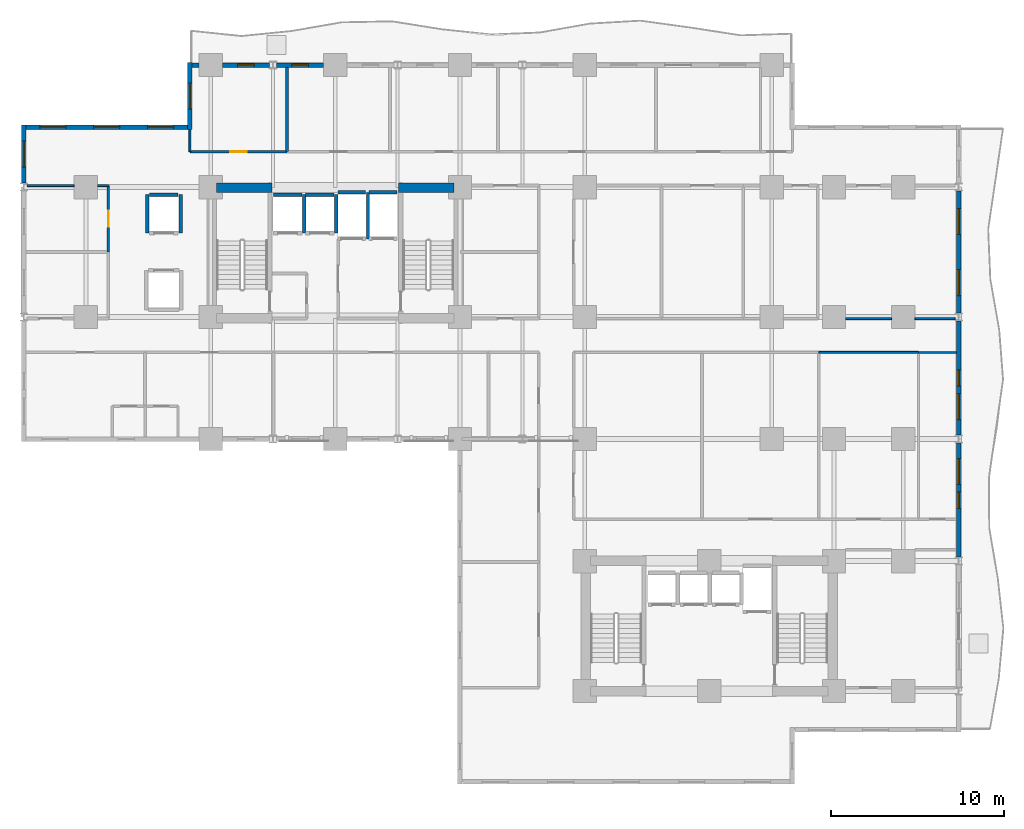
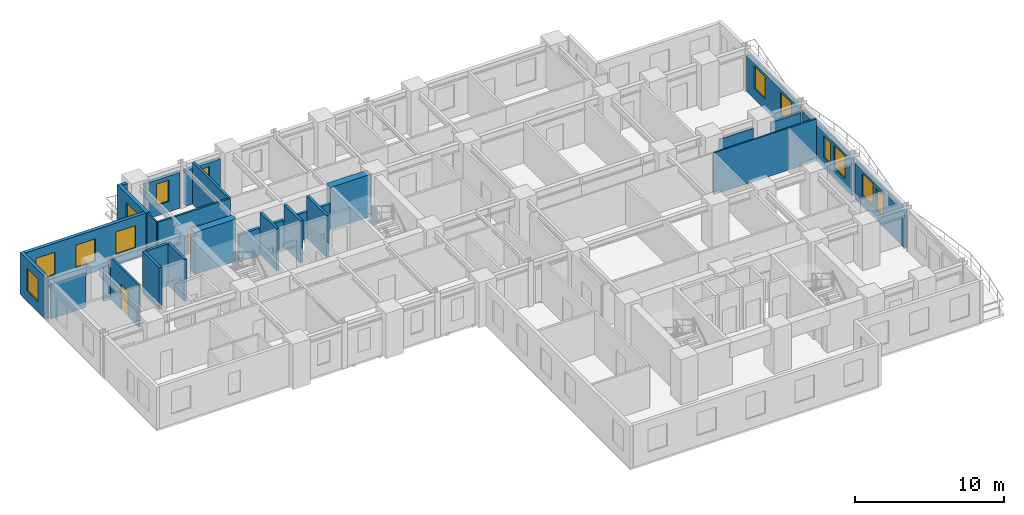
# One storey, part 6 of 11: 31 walls, 13 windows, 2 doors, 15 openings.
"""IFC4 building model written with IfcOpenShell, lengths in metres."""

from ifc_helpers import new_model, si_unit, direction, frame, frame_2d, origin, place, context, subcontext, project, spatial, rectangle, extrude, material, layer, layer_set, type_object, element, fill, save


model = new_model("IFC4")

# Units and contexts
model_context = context("Model", 3, precision=1e-05, world=origin(), true_north=direction((0.0, 1.0)))
body_context = subcontext(model_context, "Body", "Model", "MODEL_VIEW")
ifc_project = project(units=[si_unit("LENGTHUNIT", "METRE"), si_unit("AREAUNIT", "SQUARE_METRE"), si_unit("VOLUMEUNIT", "CUBIC_METRE"), si_unit("PLANEANGLEUNIT", "RADIAN"), si_unit("MASSUNIT", "GRAM", prefix="KILO")], contexts=[model_context])

# Site, building, storey
site_placement = place(None, origin())
site = spatial("IfcSite", under=ifc_project, at=site_placement, CompositionType="ELEMENT")
building_placement = place(site_placement, origin())
building = spatial("IfcBuilding", under=site, at=building_placement, Name="Kaliganga Portal Commons", CompositionType="ELEMENT")
storey_placement = place(building_placement, frame((0.0, 0.0, 58.60009765625)))
storey = spatial("IfcBuildingStorey", under=building, at=storey_placement, Name="L14", CompositionType="ELEMENT", Elevation=58.60009765625)

# Walls
ifc_material_1 = material(Name="Concrete C60/75", Category="concrete")
ifc_layer_1 = layer(ifc_material_1, 0.550048828125)
ifc_layer_set_1 = layer_set([ifc_layer_1], Name="Concrete C60/75")
wall_type_1 = type_object("IfcWallType", Name="WL-CORE-550", PredefinedType="SHEAR", material=ifc_layer_set_1)
for number, where, z_axis, x_axis, name in (
    (1, (14.75, 36.125, 0.0), (0.0, 0.0, 1.0), (1.0, 0.0, 0.0), "Core A N-West Shear Wall L14"),
    (2, (25.25, 36.125, 0.0), (0.0, 0.0, 1.0), (1.0, 0.0, 0.0), "Core A N-East Shear Wall L14"),
):
    element("IfcWall", number, at=place(storey_placement, frame(where, z_axis=z_axis, x_axis=x_axis)), inside=storey, type_object=wall_type_1, Name=name, PredefinedType="SHEAR", context=body_context, shape_type="SweptSolid", body=[
        extrude(rectangle(XDim=3.199951171875, YDim=0.550048828125, at=frame_2d((1.60009765625, 0.0))), origin(), (0.0, 0.0, 1.0), 3.449951171875),
    ])

# Wall, openings, windows
ifc_material_2 = material(Name="Insulated Aluminium-Clad Spandrel Assembly", Category="aluminium")
ifc_layer_2 = layer(ifc_material_2, 0.260009765625)
ifc_layer_set_2 = layer_set([ifc_layer_2], Name="Insulated Aluminium-Clad Spandrel Assembly")
wall_type_2 = type_object("IfcWallType", Name="WL-EXT-SPAND-260", PredefinedType="STANDARD", material=ifc_layer_set_2)
wall_1_placement = place(storey_placement, frame((57.60009765625, 21.3759765625, 0.0), z_axis=(0.0, 0.0, 1.0), x_axis=(0.0, -1.0, 0.0)))
wall_1 = element("IfcWall", 3, at=wall_1_placement, inside=storey, type_object=wall_type_2, Name="Exterior Envelope Wall L14 P1-E03-S3", PredefinedType="STANDARD", context=body_context, shape_type="SweptSolid", body=[
    extrude(rectangle(XDim=6.60205078125, YDim=0.260009765625, at=frame_2d((3.301025390625, 0.0))), origin(), (0.0, 0.0, 1.0), 2.929931640625),
])
opening_1_placement = place(wall_1_placement, frame((0.900390625, 0.0, 0.85009765625)))
opening_1 = element("IfcOpeningElement", 4, at=opening_1_placement, cuts=wall_1, Name="Opening W-02", PredefinedType="OPENING", context=body_context, shape_type="SweptSolid", body=[
    extrude(rectangle(XDim=1.5, YDim=1.85009765625, at=frame_2d((0.75, 0.925048828125))), frame((0.0, 0.14013671875, 0.0), z_axis=(0.0, -1.0, 0.0), x_axis=(1.0, 0.0, 0.0)), (0.0, 0.0, 1.0), 0.280029296875),
])
opening_2_placement = place(wall_1_placement, frame((2.825927734375, 0.0, 0.85009765625)))
opening_2 = element("IfcOpeningElement", 5, at=opening_2_placement, cuts=wall_1, Name="Opening W-04", PredefinedType="OPENING", context=body_context, shape_type="SweptSolid", body=[
    extrude(rectangle(XDim=0.949951171875, YDim=1.75, at=frame_2d((0.47509765625, 0.875))), frame((0.0, 0.14013671875, 0.0), z_axis=(0.0, -1.0, 0.0), x_axis=(1.0, 0.0, 0.0)), (0.0, 0.0, 1.0), 0.280029296875),
])
ifc_material_3 = material(Name="Thermally Broken Aluminium and Low-E Double Glazing", Category="aluminium")
window_type_1 = type_object("IfcWindowType", Name="WIN-NARROW-950", PartitioningType="SINGLE_PANEL", PredefinedType="WINDOW", material=ifc_material_3)
window_1_placement = place(opening_2_placement, origin())
window_1 = element("IfcWindow", 6, at=window_1_placement, inside=storey, type_object=window_type_1, Name="Facade Window L14-P1E03S3-N0", OverallHeight=1.75, OverallWidth=0.949951171875, PartitioningType="SINGLE_PANEL", PredefinedType="WINDOW", context=body_context, shape_type="SweptSolid", body=[
    extrude(rectangle(XDim=0.949951171875, YDim=1.75, at=frame_2d((0.47509765625, 0.875))), frame((0.0, 0.030029296875, 0.0), z_axis=(0.0, -1.0, 0.0), x_axis=(1.0, 0.0, 0.0)), (0.0, 0.0, 1.0), 0.06005859375),
])
fill(opening_2, window_1)
window_type_2 = type_object("IfcWindowType", Name="WIN-STD-1500", PartitioningType="DOUBLE_PANEL_VERTICAL", PredefinedType="WINDOW", material=ifc_material_3)
window_2_placement = place(opening_1_placement, origin())
window_2 = element("IfcWindow", 7, at=window_2_placement, inside=storey, type_object=window_type_2, Name="Facade Window L14-P1E03S3-00", OverallHeight=1.85009765625, OverallWidth=1.5, PartitioningType="SINGLE_PANEL", PredefinedType="WINDOW", context=body_context, shape_type="SweptSolid", body=[
    extrude(rectangle(XDim=1.5, YDim=1.85009765625, at=frame_2d((0.75, 0.925048828125))), frame((0.0, 0.030029296875, 0.0), z_axis=(0.0, -1.0, 0.0), x_axis=(1.0, 0.0, 0.0)), (0.0, 0.0, 1.0), 0.06005859375),
])
fill(opening_1, window_2)

wall_2_placement = place(storey_placement, frame((57.60009765625, 28.426025390625, 0.0), z_axis=(0.0, 0.0, 1.0), x_axis=(0.0, -1.0, 0.0)))
wall_2 = element("IfcWall", 8, at=wall_2_placement, inside=storey, type_object=wall_type_2, Name="Exterior Envelope Wall L14 P1-E03-S4", PredefinedType="STANDARD", context=body_context, shape_type="SweptSolid", body=[
    extrude(rectangle(XDim=6.60205078125, YDim=0.260009765625, at=frame_2d((3.301025390625, 0.0))), origin(), (0.0, 0.0, 1.0), 2.929931640625),
])
opening_3_placement = place(wall_2_placement, frame((4.201416015625, 0.0, 0.85009765625)))
opening_3 = element("IfcOpeningElement", 9, at=opening_3_placement, cuts=wall_2, Name="Opening W-02", PredefinedType="OPENING", context=body_context, shape_type="SweptSolid", body=[
    extrude(rectangle(XDim=1.5, YDim=1.85009765625, at=frame_2d((0.75, 0.925048828125))), frame((0.0, 0.14013671875, 0.0), z_axis=(0.0, -1.0, 0.0), x_axis=(1.0, 0.0, 0.0)), (0.0, 0.0, 1.0), 0.280029296875),
])
opening_4_placement = place(wall_2_placement, frame((2.825927734375, 0.0, 0.85009765625)))
opening_4 = element("IfcOpeningElement", 10, at=opening_4_placement, cuts=wall_2, Name="Opening W-04", PredefinedType="OPENING", context=body_context, shape_type="SweptSolid", body=[
    extrude(rectangle(XDim=0.949951171875, YDim=1.75, at=frame_2d((0.47509765625, 0.875))), frame((0.0, 0.14013671875, 0.0), z_axis=(0.0, -1.0, 0.0), x_axis=(1.0, 0.0, 0.0)), (0.0, 0.0, 1.0), 0.280029296875),
])
window_3_placement = place(opening_4_placement, origin())
window_3 = element("IfcWindow", 11, at=window_3_placement, inside=storey, type_object=window_type_1, Name="Facade Window L14-P1E03S4-N0", OverallHeight=1.75, OverallWidth=0.949951171875, PartitioningType="SINGLE_PANEL", PredefinedType="WINDOW", context=body_context, shape_type="SweptSolid", body=[
    extrude(rectangle(XDim=0.949951171875, YDim=1.75, at=frame_2d((0.47509765625, 0.875))), frame((0.0, 0.030029296875, 0.0), z_axis=(0.0, -1.0, 0.0), x_axis=(1.0, 0.0, 0.0)), (0.0, 0.0, 1.0), 0.06005859375),
])
fill(opening_4, window_3)
window_4_placement = place(opening_3_placement, origin())
window_4 = element("IfcWindow", 12, at=window_4_placement, inside=storey, type_object=window_type_2, Name="Facade Window L14-P1E03S4-01", OverallHeight=1.85009765625, OverallWidth=1.5, PartitioningType="SINGLE_PANEL", PredefinedType="WINDOW", context=body_context, shape_type="SweptSolid", body=[
    extrude(rectangle(XDim=1.5, YDim=1.85009765625, at=frame_2d((0.75, 0.925048828125))), frame((0.0, 0.030029296875, 0.0), z_axis=(0.0, -1.0, 0.0), x_axis=(1.0, 0.0, 0.0)), (0.0, 0.0, 1.0), 0.06005859375),
])
fill(opening_3, window_4)

wall_3_placement = place(storey_placement, frame((57.60009765625, 35.926025390625, 0.0), z_axis=(0.0, 0.0, 1.0), x_axis=(0.0, -1.0, 0.0)))
wall_3 = element("IfcWall", 13, at=wall_3_placement, inside=storey, type_object=wall_type_2, Name="Exterior Envelope Wall L14 P1-E03-S5", PredefinedType="STANDARD", context=body_context, shape_type="SweptSolid", body=[
    extrude(rectangle(XDim=7.052001953125, YDim=0.260009765625, at=frame_2d((3.52587890625, 0.0))), origin(), (0.0, 0.0, 1.0), 2.929931640625),
])
opening_5_placement = place(wall_3_placement, frame((1.012939453125, 0.0, 0.85009765625)))
opening_5 = element("IfcOpeningElement", 14, at=opening_5_placement, cuts=wall_3, Name="Opening W-02", PredefinedType="OPENING", context=body_context, shape_type="SweptSolid", body=[
    extrude(rectangle(XDim=1.5, YDim=1.85009765625, at=frame_2d((0.75, 0.925048828125))), frame((0.0, 0.14013671875, 0.0), z_axis=(0.0, -1.0, 0.0), x_axis=(1.0, 0.0, 0.0)), (0.0, 0.0, 1.0), 0.280029296875),
])
opening_6_placement = place(wall_3_placement, frame((4.5390625, 0.0, 0.85009765625)))
opening_6 = element("IfcOpeningElement", 15, at=opening_6_placement, cuts=wall_3, Name="Opening W-02", PredefinedType="OPENING", context=body_context, shape_type="SweptSolid", body=[
    extrude(rectangle(XDim=1.5, YDim=1.85009765625, at=frame_2d((0.75, 0.925048828125))), frame((0.0, 0.14013671875, 0.0), z_axis=(0.0, -1.0, 0.0), x_axis=(1.0, 0.0, 0.0)), (0.0, 0.0, 1.0), 0.280029296875),
])
window_5_placement = place(opening_5_placement, origin())
window_5 = element("IfcWindow", 16, at=window_5_placement, inside=storey, type_object=window_type_2, Name="Facade Window L14-P1E03S5-00", OverallHeight=1.85009765625, OverallWidth=1.5, PartitioningType="SINGLE_PANEL", PredefinedType="WINDOW", context=body_context, shape_type="SweptSolid", body=[
    extrude(rectangle(XDim=1.5, YDim=1.85009765625, at=frame_2d((0.75, 0.925048828125))), frame((0.0, 0.030029296875, 0.0), z_axis=(0.0, -1.0, 0.0), x_axis=(1.0, 0.0, 0.0)), (0.0, 0.0, 1.0), 0.06005859375),
])
fill(opening_5, window_5)
window_6_placement = place(opening_6_placement, origin())
window_6 = element("IfcWindow", 17, at=window_6_placement, inside=storey, type_object=window_type_2, Name="Facade Window L14-P1E03S5-01", OverallHeight=1.85009765625, OverallWidth=1.5, PartitioningType="SINGLE_PANEL", PredefinedType="WINDOW", context=body_context, shape_type="SweptSolid", body=[
    extrude(rectangle(XDim=1.5, YDim=1.85009765625, at=frame_2d((0.75, 0.925048828125))), frame((0.0, 0.030029296875, 0.0), z_axis=(0.0, -1.0, 0.0), x_axis=(1.0, 0.0, 0.0)), (0.0, 0.0, 1.0), 0.06005859375),
])
fill(opening_6, window_6)

# Wall, opening, window
wall_4_placement = place(storey_placement, frame((18.208984375, 43.199951171875, 0.0), z_axis=(0.0, 0.0, 1.0), x_axis=(1.0, 0.0, 0.0)))
wall_4 = element("IfcWall", 18, at=wall_4_placement, inside=storey, type_object=wall_type_2, Name="Exterior Envelope Wall L14 P1-E06-S7", PredefinedType="STANDARD", context=body_context, shape_type="SweptSolid", body=[
    extrude(rectangle(XDim=2.715087890625, YDim=0.260009765625, at=frame_2d((1.357421875, 0.0))), origin(), (0.0, 0.0, 1.0), 2.929931640625),
])
opening_7_placement = place(wall_4_placement, frame((0.882568359375, 0.0, 0.85009765625)))
opening_7 = element("IfcOpeningElement", 19, at=opening_7_placement, cuts=wall_4, Name="Opening W-04", PredefinedType="OPENING", context=body_context, shape_type="SweptSolid", body=[
    extrude(rectangle(XDim=0.949951171875, YDim=1.75, at=frame_2d((0.47509765625, 0.875))), frame((0.0, 0.14013671875, 0.0), z_axis=(0.0, -1.0, 0.0), x_axis=(1.0, 0.0, 0.0)), (0.0, 0.0, 1.0), 0.280029296875),
])
window_7_placement = place(opening_7_placement, origin())
window_7 = element("IfcWindow", 20, at=window_7_placement, inside=storey, type_object=window_type_1, Name="Facade Window L14-P1E06S7-00", OverallHeight=1.75, OverallWidth=0.949951171875, PartitioningType="SINGLE_PANEL", PredefinedType="WINDOW", context=body_context, shape_type="SweptSolid", body=[
    extrude(rectangle(XDim=0.949951171875, YDim=1.75, at=frame_2d((0.47509765625, 0.875))), frame((0.0, 0.030029296875, 0.0), z_axis=(0.0, -1.0, 0.0), x_axis=(1.0, 0.0, 0.0)), (0.0, 0.0, 1.0), 0.06005859375),
])
fill(opening_7, window_7)

wall_5_placement = place(storey_placement, frame((15.075927734375, 43.199951171875, 0.0), z_axis=(0.0, 0.0, 1.0), x_axis=(1.0, 0.0, 0.0)))
wall_5 = element("IfcWall", 21, at=wall_5_placement, inside=storey, type_object=wall_type_2, Name="Exterior Envelope Wall L14 P1-E06-S8", PredefinedType="STANDARD", context=body_context, shape_type="SweptSolid", body=[
    extrude(rectangle(XDim=2.715087890625, YDim=0.260009765625, at=frame_2d((1.357421875, 0.0))), origin(), (0.0, 0.0, 1.0), 2.929931640625),
])
opening_8_placement = place(wall_5_placement, frame((0.882568359375, 0.0, 0.85009765625)))
opening_8 = element("IfcOpeningElement", 22, at=opening_8_placement, cuts=wall_5, Name="Opening W-04", PredefinedType="OPENING", context=body_context, shape_type="SweptSolid", body=[
    extrude(rectangle(XDim=0.949951171875, YDim=1.75, at=frame_2d((0.47509765625, 0.875))), frame((0.0, 0.14013671875, 0.0), z_axis=(0.0, -1.0, 0.0), x_axis=(1.0, 0.0, 0.0)), (0.0, 0.0, 1.0), 0.280029296875),
])
window_8_placement = place(opening_8_placement, origin())
window_8 = element("IfcWindow", 23, at=window_8_placement, inside=storey, type_object=window_type_1, Name="Facade Window L14-P1E06S8-00", OverallHeight=1.75, OverallWidth=0.949951171875, PartitioningType="SINGLE_PANEL", PredefinedType="WINDOW", context=body_context, shape_type="SweptSolid", body=[
    extrude(rectangle(XDim=0.949951171875, YDim=1.75, at=frame_2d((0.47509765625, 0.875))), frame((0.0, 0.030029296875, 0.0), z_axis=(0.0, -1.0, 0.0), x_axis=(1.0, 0.0, 0.0)), (0.0, 0.0, 1.0), 0.06005859375),
])
fill(opening_8, window_8)

# Wall
wall_6_placement = place(storey_placement, frame((13.3349609375, 43.199951171875, 0.0), z_axis=(0.0, 0.0, 1.0), x_axis=(1.0, 0.0, 0.0)))
element("IfcWall", 24, at=wall_6_placement, inside=storey, type_object=wall_type_2, Name="Exterior Envelope Wall L14 P1-E06-S9", PredefinedType="STANDARD", context=body_context, shape_type="SweptSolid", body=[
    extrude(rectangle(XDim=0.38916015625, YDim=0.260009765625, at=frame_2d((0.194580078125, 0.0))), origin(), (0.0, 0.0, 1.0), 3.429931640625),
])

# Wall, opening, window
wall_7_placement = place(storey_placement, frame((13.199951171875, 39.469970703125, 0.0), z_axis=(0.0, 0.0, 1.0), x_axis=(0.0, 1.0, 0.0)))
wall_7 = element("IfcWall", 25, at=wall_7_placement, inside=storey, type_object=wall_type_2, Name="Exterior Envelope Wall L14 P1-E07-S1", PredefinedType="STANDARD", context=body_context, shape_type="SweptSolid", body=[
    extrude(rectangle(XDim=3.860107421875, YDim=0.260009765625, at=frame_2d((1.93017578125, 0.0))), origin(), (0.0, 0.0, 1.0), 3.429931640625),
])
opening_9_placement = place(wall_7_placement, frame((1.179931640625, 0.0, 0.85009765625)))
opening_9 = element("IfcOpeningElement", 26, at=opening_9_placement, cuts=wall_7, Name="Opening W-02", PredefinedType="OPENING", context=body_context, shape_type="SweptSolid", body=[
    extrude(rectangle(XDim=1.5, YDim=1.85009765625, at=frame_2d((0.75, 0.925048828125))), frame((0.0, 0.14013671875, 0.0), z_axis=(0.0, -1.0, 0.0), x_axis=(1.0, 0.0, 0.0)), (0.0, 0.0, 1.0), 0.280029296875),
])
window_9_placement = place(opening_9_placement, origin())
window_9 = element("IfcWindow", 27, at=window_9_placement, inside=storey, type_object=window_type_2, Name="Facade Window L14-P1E07S1-00", OverallHeight=1.85009765625, OverallWidth=1.5, PartitioningType="SINGLE_PANEL", PredefinedType="WINDOW", context=body_context, shape_type="SweptSolid", body=[
    extrude(rectangle(XDim=1.5, YDim=1.85009765625, at=frame_2d((0.75, 0.925048828125))), frame((0.0, 0.030029296875, 0.0), z_axis=(0.0, -1.0, 0.0), x_axis=(1.0, 0.0, 0.0)), (0.0, 0.0, 1.0), 0.06005859375),
])
fill(opening_9, window_9)

# Wall, openings, windows
wall_8_placement = place(storey_placement, frame((3.735107421875, 39.60009765625, 0.0), z_axis=(0.0, 0.0, 1.0), x_axis=(1.0, 0.0, 0.0)))
wall_8 = element("IfcWall", 28, at=wall_8_placement, inside=storey, type_object=wall_type_2, Name="Exterior Envelope Wall L14 P1-E08-S1", PredefinedType="STANDARD", context=body_context, shape_type="SweptSolid", body=[
    extrude(rectangle(XDim=9.329833984375, YDim=0.260009765625, at=frame_2d((4.6650390625, 0.0))), origin(), (0.0, 0.0, 1.0), 3.429931640625),
])
opening_10_placement = place(wall_8_placement, frame((0.804931640625, 0.0, 0.85009765625)))
opening_10 = element("IfcOpeningElement", 29, at=opening_10_placement, cuts=wall_8, Name="Opening W-02", PredefinedType="OPENING", context=body_context, shape_type="SweptSolid", body=[
    extrude(rectangle(XDim=1.5, YDim=1.85009765625, at=frame_2d((0.75, 0.925048828125))), frame((0.0, 0.14013671875, 0.0), z_axis=(0.0, -1.0, 0.0), x_axis=(1.0, 0.0, 0.0)), (0.0, 0.0, 1.0), 0.280029296875),
])
opening_11_placement = place(wall_8_placement, frame((3.9150390625, 0.0, 0.85009765625)))
opening_11 = element("IfcOpeningElement", 30, at=opening_11_placement, cuts=wall_8, Name="Opening W-02", PredefinedType="OPENING", context=body_context, shape_type="SweptSolid", body=[
    extrude(rectangle(XDim=1.5, YDim=1.85009765625, at=frame_2d((0.75, 0.925048828125))), frame((0.0, 0.14013671875, 0.0), z_axis=(0.0, -1.0, 0.0), x_axis=(1.0, 0.0, 0.0)), (0.0, 0.0, 1.0), 0.280029296875),
])
opening_12_placement = place(wall_8_placement, frame((7.02490234375, 0.0, 0.85009765625)))
opening_12 = element("IfcOpeningElement", 31, at=opening_12_placement, cuts=wall_8, Name="Opening W-02", PredefinedType="OPENING", context=body_context, shape_type="SweptSolid", body=[
    extrude(rectangle(XDim=1.5, YDim=1.85009765625, at=frame_2d((0.75, 0.925048828125))), frame((0.0, 0.14013671875, 0.0), z_axis=(0.0, -1.0, 0.0), x_axis=(1.0, 0.0, 0.0)), (0.0, 0.0, 1.0), 0.280029296875),
])
window_10_placement = place(opening_10_placement, origin())
window_10 = element("IfcWindow", 32, at=window_10_placement, inside=storey, type_object=window_type_2, Name="Facade Window L14-P1E08S1-00", OverallHeight=1.85009765625, OverallWidth=1.5, PartitioningType="SINGLE_PANEL", PredefinedType="WINDOW", context=body_context, shape_type="SweptSolid", body=[
    extrude(rectangle(XDim=1.5, YDim=1.85009765625, at=frame_2d((0.75, 0.925048828125))), frame((0.0, 0.030029296875, 0.0), z_axis=(0.0, -1.0, 0.0), x_axis=(1.0, 0.0, 0.0)), (0.0, 0.0, 1.0), 0.06005859375),
])
fill(opening_10, window_10)
window_11_placement = place(opening_11_placement, origin())
window_11 = element("IfcWindow", 33, at=window_11_placement, inside=storey, type_object=window_type_2, Name="Facade Window L14-P1E08S1-01", OverallHeight=1.85009765625, OverallWidth=1.5, PartitioningType="SINGLE_PANEL", PredefinedType="WINDOW", context=body_context, shape_type="SweptSolid", body=[
    extrude(rectangle(XDim=1.5, YDim=1.85009765625, at=frame_2d((0.75, 0.925048828125))), frame((0.0, 0.030029296875, 0.0), z_axis=(0.0, -1.0, 0.0), x_axis=(1.0, 0.0, 0.0)), (0.0, 0.0, 1.0), 0.06005859375),
])
fill(opening_11, window_11)
window_12_placement = place(opening_12_placement, origin())
window_12 = element("IfcWindow", 34, at=window_12_placement, inside=storey, type_object=window_type_2, Name="Facade Window L14-P1E08S1-02", OverallHeight=1.85009765625, OverallWidth=1.5, PartitioningType="SINGLE_PANEL", PredefinedType="WINDOW", context=body_context, shape_type="SweptSolid", body=[
    extrude(rectangle(XDim=1.5, YDim=1.85009765625, at=frame_2d((0.75, 0.925048828125))), frame((0.0, 0.030029296875, 0.0), z_axis=(0.0, -1.0, 0.0), x_axis=(1.0, 0.0, 0.0)), (0.0, 0.0, 1.0), 0.06005859375),
])
fill(opening_12, window_12)

# Wall, opening, window
wall_9_placement = place(storey_placement, frame((3.60009765625, 36.3740234375, 0.0), z_axis=(0.0, 0.0, 1.0), x_axis=(0.0, 1.0, 0.0)))
wall_9 = element("IfcWall", 35, at=wall_9_placement, inside=storey, type_object=wall_type_2, Name="Exterior Envelope Wall L14 P1-E09-S1", PredefinedType="STANDARD", context=body_context, shape_type="SweptSolid", body=[
    extrude(rectangle(XDim=3.35595703125, YDim=0.260009765625, at=frame_2d((1.677978515625, 0.0))), origin(), (0.0, 0.0, 1.0), 3.429931640625),
])
opening_13_placement = place(wall_9_placement, frame((0.927978515625, 0.0, 0.85009765625)))
opening_13 = element("IfcOpeningElement", 36, at=opening_13_placement, cuts=wall_9, Name="Opening W-02", PredefinedType="OPENING", context=body_context, shape_type="SweptSolid", body=[
    extrude(rectangle(XDim=1.5, YDim=1.85009765625, at=frame_2d((0.75, 0.925048828125))), frame((0.0, 0.14013671875, 0.0), z_axis=(0.0, -1.0, 0.0), x_axis=(1.0, 0.0, 0.0)), (0.0, 0.0, 1.0), 0.280029296875),
])
window_13_placement = place(opening_13_placement, origin())
window_13 = element("IfcWindow", 37, at=window_13_placement, inside=storey, type_object=window_type_2, Name="Facade Window L14-P1E09S1-00", OverallHeight=1.85009765625, OverallWidth=1.5, PartitioningType="SINGLE_PANEL", PredefinedType="WINDOW", context=body_context, shape_type="SweptSolid", body=[
    extrude(rectangle(XDim=1.5, YDim=1.85009765625, at=frame_2d((0.75, 0.925048828125))), frame((0.0, 0.030029296875, 0.0), z_axis=(0.0, -1.0, 0.0), x_axis=(1.0, 0.0, 0.0)), (0.0, 0.0, 1.0), 0.06005859375),
])
fill(opening_13, window_13)

# Wall, opening, door
ifc_material_4 = material(Name="Fire-Rated Gypsum Board on Steel Stud", Category="steel")
ifc_layer_3 = layer(ifc_material_4, 0.14990234375)
ifc_layer_set_3 = layer_set([ifc_layer_3], Name="Fire-Rated Gypsum Board on Steel Stud")
wall_type_3 = type_object("IfcWallType", Name="WL-PART-CORR-150", PredefinedType="PARTITIONING", material=ifc_layer_set_3)
wall_10_placement = place(storey_placement, frame((13.199951171875, 38.199951171875, 0.0), z_axis=(0.0, 0.0, 1.0), x_axis=(1.0, 0.0, 0.0)))
wall_10 = element("IfcWall", 38, at=wall_10_placement, inside=storey, type_object=wall_type_3, Name="Interior Partition L14-027", PredefinedType="PARTITIONING", context=body_context, shape_type="SweptSolid", body=[
    extrude(rectangle(XDim=5.6201171875, YDim=0.14990234375, at=frame_2d((2.81005859375, 0.0))), origin(), (0.0, 0.0, 1.0), 3.429931640625),
])
opening_14_placement = place(wall_10_placement, frame((2.3349609375, 0.0, 0.0)))
opening_14 = element("IfcOpeningElement", 39, at=opening_14_placement, cuts=wall_10, Name="Opening UD-01", PredefinedType="OPENING", context=body_context, shape_type="SweptSolid", body=[
    extrude(rectangle(XDim=0.949951171875, YDim=2.10009765625, at=frame_2d((0.47509765625, 1.050048828125))), frame((0.0, 0.0849609375, 0.0), z_axis=(0.0, -1.0, 0.0), x_axis=(1.0, 0.0, 0.0)), (0.0, 0.0, 1.0), 0.169921875),
])
ifc_material_5 = material(Name="Solid-Core Timber Acoustic Fire Door", Category="wood")
door_type = type_object("IfcDoorType", Name="DR-UNIT-950", OperationType="NOTDEFINED", PredefinedType="DOOR", material=ifc_material_5)
door_1_placement = place(opening_14_placement, origin())
door_1 = element("IfcDoor", 40, at=door_1_placement, inside=storey, type_object=door_type, Name="Interior Door L14-AN01", OperationType="SINGLE_SWING_LEFT", OverallHeight=2.10009765625, OverallWidth=0.949951171875, PredefinedType="DOOR", context=body_context, shape_type="SweptSolid", body=[
    extrude(rectangle(XDim=0.949951171875, YDim=2.10009765625, at=frame_2d((0.47509765625, 1.050048828125))), frame((0.0, 0.02490234375, 0.0), z_axis=(0.0, -1.0, 0.0), x_axis=(1.0, 0.0, 0.0)), (0.0, 0.0, 1.0), 0.050048828125),
])
fill(opening_14, door_1)

wall_11_placement = place(storey_placement, frame((8.5, 32.39990234375, 0.0), z_axis=(0.0, 0.0, 1.0), x_axis=(0.0, 1.0, 0.0)))
wall_11 = element("IfcWall", 41, at=wall_11_placement, inside=storey, type_object=wall_type_3, Name="Interior Partition L14-038", PredefinedType="PARTITIONING", context=body_context, shape_type="SweptSolid", body=[
    extrude(rectangle(XDim=3.840087890625, YDim=0.14990234375, at=frame_2d((1.919921875, 0.0))), origin(), (0.0, 0.0, 1.0), 3.429931640625),
])
opening_15_placement = place(wall_11_placement, frame((1.445068359375, 0.0, 0.0)))
opening_15 = element("IfcOpeningElement", 42, at=opening_15_placement, cuts=wall_11, Name="Opening UD-01", PredefinedType="OPENING", context=body_context, shape_type="SweptSolid", body=[
    extrude(rectangle(XDim=0.949951171875, YDim=2.10009765625, at=frame_2d((0.47509765625, 1.050048828125))), frame((0.0, 0.0849609375, 0.0), z_axis=(0.0, -1.0, 0.0), x_axis=(1.0, 0.0, 0.0)), (0.0, 0.0, 1.0), 0.169921875),
])
door_2_placement = place(opening_15_placement, origin())
door_2 = element("IfcDoor", 43, at=door_2_placement, inside=storey, type_object=door_type, Name="Interior Door L14-AW02", OperationType="SINGLE_SWING_LEFT", OverallHeight=2.10009765625, OverallWidth=0.949951171875, PredefinedType="DOOR", context=body_context, shape_type="SweptSolid", body=[
    extrude(rectangle(XDim=0.949951171875, YDim=2.10009765625, at=frame_2d((0.47509765625, 1.050048828125))), frame((0.0, 0.02490234375, 0.0), z_axis=(0.0, -1.0, 0.0), x_axis=(1.0, 0.0, 0.0)), (0.0, 0.0, 1.0), 0.050048828125),
])
fill(opening_15, door_2)

# Walls
ifc_material_6 = material(Name="Moisture-Resistant Gypsum Partition", Category="gypsum")
ifc_layer_4 = layer(ifc_material_6, 0.114990234375)
ifc_layer_set_4 = layer_set([ifc_layer_4], Name="Moisture-Resistant Gypsum Partition")
wall_type_4 = type_object("IfcWallType", Name="WL-PART-ROOM-115", PredefinedType="PARTITIONING", material=ifc_layer_set_4)
wall_12_placement = place(storey_placement, frame((51.074951171875, 28.56005859375, 0.0), z_axis=(0.0, 0.0, 1.0), x_axis=(1.0, 0.0, 0.0)))
element("IfcWall", 44, at=wall_12_placement, inside=storey, type_object=wall_type_4, Name="Interior Partition L14-051", PredefinedType="PARTITIONING", context=body_context, shape_type="SweptSolid", body=[
    extrude(rectangle(XDim=2.650146484375, YDim=0.114990234375, at=frame_2d((1.3251953125, 0.0))), origin(), (0.0, 0.0, 1.0), 2.77978515625),
])
wall_13_placement = place(storey_placement, frame((55.074951171875, 28.56005859375, 0.0), z_axis=(0.0, 0.0, 1.0), x_axis=(1.0, 0.0, 0.0)))
element("IfcWall", 45, at=wall_13_placement, inside=storey, type_object=wall_type_4, Name="Interior Partition L14-052", PredefinedType="PARTITIONING", context=body_context, shape_type="SweptSolid", body=[
    extrude(rectangle(XDim=2.317138671875, YDim=0.114990234375, at=frame_2d((1.15869140625, 0.0))), origin(), (0.0, 0.0, 1.0), 2.77978515625),
])
wall_14_placement = place(storey_placement, frame((49.52001953125, 26.60009765625, 0.0), z_axis=(0.0, 0.0, 1.0), x_axis=(1.0, 0.0, 0.0)))
element("IfcWall", 46, at=wall_14_placement, inside=storey, type_object=wall_type_4, Name="Interior Partition L14-058", PredefinedType="PARTITIONING", context=body_context, shape_type="SweptSolid", body=[
    extrude(rectangle(XDim=5.760009765625, YDim=0.114990234375, at=frame_2d((2.8798828125, 0.0))), origin(), (0.0, 0.0, 1.0), 3.429931640625),
])
wall_15_placement = place(storey_placement, frame((13.199951171875, 38.199951171875, 0.0), z_axis=(0.0, 0.0, 1.0), x_axis=(0.0, 1.0, 0.0)))
element("IfcWall", 47, at=wall_15_placement, inside=storey, type_object=wall_type_4, Name="Interior Partition L14-060", PredefinedType="PARTITIONING", context=body_context, shape_type="SweptSolid", body=[
    extrude(rectangle(XDim=1.26806640625, YDim=0.114990234375, at=frame_2d((0.634033203125, 0.0))), origin(), (0.0, 0.0, 1.0), 3.429931640625),
])
wall_16_placement = place(storey_placement, frame((3.80810546875, 36.239990234375, 0.0), z_axis=(0.0, 0.0, 1.0), x_axis=(1.0, 0.0, 0.0)))
element("IfcWall", 48, at=wall_16_placement, inside=storey, type_object=wall_type_4, Name="Interior Partition L14-070", PredefinedType="PARTITIONING", context=body_context, shape_type="SweptSolid", body=[
    extrude(rectangle(XDim=2.716796875, YDim=0.114990234375, at=frame_2d((1.3583984375, 0.0))), origin(), (0.0, 0.0, 1.0), 2.77978515625),
])
wall_17_placement = place(storey_placement, frame((7.875, 36.239990234375, 0.0), z_axis=(0.0, 0.0, 1.0), x_axis=(1.0, 0.0, 0.0)))
element("IfcWall", 49, at=wall_17_placement, inside=storey, type_object=wall_type_4, Name="Interior Partition L14-071", PredefinedType="PARTITIONING", context=body_context, shape_type="SweptSolid", body=[
    extrude(rectangle(XDim=0.625, YDim=0.114990234375, at=frame_2d((0.3125, 0.0))), origin(), (0.0, 0.0, 1.0), 2.77978515625),
])
ifc_material_7 = material(Name="Twin-Stud Acoustic Gypsum Partition", Category="gypsum")
ifc_layer_5 = layer(ifc_material_7, 0.1650390625)
ifc_layer_set_5 = layer_set([ifc_layer_5], Name="Twin-Stud Acoustic Gypsum Partition")
wall_type_5 = type_object("IfcWallType", Name="WL-PART-UNIT-165", PredefinedType="PARTITIONING", material=ifc_layer_set_5)
wall_18_placement = place(storey_placement, frame((18.820068359375, 38.199951171875, 0.0), z_axis=(0.0, 0.0, 1.0), x_axis=(0.0, 1.0, 0.0)))
element("IfcWall", 50, at=wall_18_placement, inside=storey, type_object=wall_type_5, Name="Interior Partition L14-062", PredefinedType="PARTITIONING", context=body_context, shape_type="SweptSolid", body=[
    extrude(rectangle(XDim=4.8681640625, YDim=0.1650390625, at=frame_2d((2.43408203125, 0.0))), origin(), (0.0, 0.0, 1.0), 3.429931640625),
])
ifc_material_8 = material(Name="Cement-Board Wet-Room Partition", Category="gypsum")
ifc_layer_6 = layer(ifc_material_8, 0.135009765625)
ifc_layer_set_6 = layer_set([ifc_layer_6], Name="Cement-Board Wet-Room Partition")
wall_type_6 = type_object("IfcWallType", Name="WL-PART-WET-135", PredefinedType="PARTITIONING", material=ifc_layer_set_6)
wall_19_placement = place(storey_placement, frame((55.280029296875, 26.60009765625, 0.0), z_axis=(0.0, 0.0, 1.0), x_axis=(1.0, 0.0, 0.0)))
element("IfcWall", 51, at=wall_19_placement, inside=storey, type_object=wall_type_6, Name="Interior Partition L14-081", PredefinedType="PARTITIONING", context=body_context, shape_type="SweptSolid", body=[
    extrude(rectangle(XDim=2.18798828125, YDim=0.135009765625, at=frame_2d((1.093994140625, 0.0))), origin(), (0.0, 0.0, 1.0), 3.429931640625),
])
ifc_material_9 = material(Name="Fire-Rated Shaftwall Masonry Assembly", Category="masonry")
ifc_layer_7 = layer(ifc_material_9, 0.199951171875)
ifc_layer_set_7 = layer_set([ifc_layer_7], Name="Fire-Rated Shaftwall Masonry Assembly")
wall_type_7 = type_object("IfcWallType", Name="WL-SHAFT-200", PredefinedType="PARTITIONING", material=ifc_layer_set_7)
wall_20_placement = place(storey_placement, frame((18.02490234375, 35.715087890625, 0.0), z_axis=(0.0, 0.0, 1.0), x_axis=(1.0, 0.0, 0.0)))
element("IfcWall", 52, at=wall_20_placement, inside=storey, type_object=wall_type_7, Name="Lift PL-A1 Hoistway Shaft Wall L14-N", PredefinedType="PARTITIONING", context=body_context, shape_type="SweptSolid", body=[
    extrude(rectangle(XDim=1.650146484375, YDim=0.199951171875, at=frame_2d((0.8251953125, 0.0))), origin(), (0.0, 0.0, 1.0), 2.22998046875),
])
wall_21_placement = place(storey_placement, frame((19.81494140625, 33.485107421875, 0.0), z_axis=(0.0, 0.0, 1.0), x_axis=(0.0, 1.0, 0.0)))
element("IfcWall", 53, at=wall_21_placement, inside=storey, type_object=wall_type_7, Name="Lift PL-A1 Hoistway Shaft Wall L14-E", PredefinedType="PARTITIONING", context=body_context, shape_type="SweptSolid", body=[
    extrude(rectangle(XDim=2.22998046875, YDim=0.199951171875, at=frame_2d((1.114990234375, 0.0))), origin(), (0.0, 0.0, 1.0), 3.429931640625),
])
wall_22_placement = place(storey_placement, frame((19.875, 35.715087890625, 0.0), z_axis=(0.0, 0.0, 1.0), x_axis=(1.0, 0.0, 0.0)))
element("IfcWall", 54, at=wall_22_placement, inside=storey, type_object=wall_type_7, Name="Lift PL-A2 Hoistway Shaft Wall L14-N", PredefinedType="PARTITIONING", context=body_context, shape_type="SweptSolid", body=[
    extrude(rectangle(XDim=1.64990234375, YDim=0.199951171875, at=frame_2d((0.824951171875, 0.0))), origin(), (0.0, 0.0, 1.0), 2.22998046875),
])
wall_23_placement = place(storey_placement, frame((21.6650390625, 33.485107421875, 0.0), z_axis=(0.0, 0.0, 1.0), x_axis=(0.0, 1.0, 0.0)))
element("IfcWall", 55, at=wall_23_placement, inside=storey, type_object=wall_type_7, Name="Lift PL-A2 Hoistway Shaft Wall L14-E", PredefinedType="PARTITIONING", context=body_context, shape_type="SweptSolid", body=[
    extrude(rectangle(XDim=2.22998046875, YDim=0.199951171875, at=frame_2d((1.114990234375, 0.0))), origin(), (0.0, 0.0, 1.0), 3.429931640625),
])
wall_24_placement = place(storey_placement, frame((10.875, 35.715087890625, 0.0), z_axis=(0.0, 0.0, 1.0), x_axis=(1.0, 0.0, 0.0)))
element("IfcWall", 56, at=wall_24_placement, inside=storey, type_object=wall_type_7, Name="Lift PL-OBS Hoistway Shaft Wall L14-N", PredefinedType="PARTITIONING", context=body_context, shape_type="SweptSolid", body=[
    extrude(rectangle(XDim=1.64990234375, YDim=0.199951171875, at=frame_2d((0.824951171875, 0.0))), origin(), (0.0, 0.0, 1.0), 3.429931640625),
])
for number, where, z_axis, x_axis, name in (
    (57, (10.735107421875, 33.485107421875, 0.0), (0.0, 0.0, 1.0), (0.0, 1.0, 0.0), "Lift PL-OBS Hoistway Shaft Wall L14-W"),
    (58, (12.6650390625, 33.485107421875, 0.0), (0.0, 0.0, 1.0), (0.0, 1.0, 0.0), "Lift PL-OBS Hoistway Shaft Wall L14-E"),
):
    element("IfcWall", number, at=place(storey_placement, frame(where, z_axis=z_axis, x_axis=x_axis)), inside=storey, type_object=wall_type_7, Name=name, PredefinedType="PARTITIONING", context=body_context, shape_type="SweptSolid", body=[
        extrude(rectangle(XDim=2.22998046875, YDim=0.199951171875, at=frame_2d((1.114990234375, 0.0))), origin(), (0.0, 0.0, 1.0), 3.429931640625),
    ])
wall_25_placement = place(storey_placement, frame((21.75, 35.840087890625, 0.0), z_axis=(0.0, 0.0, 1.0), x_axis=(1.0, 0.0, 0.0)))
element("IfcWall", 59, at=wall_25_placement, inside=storey, type_object=wall_type_7, Name="Lift FFL-1 Hoistway Shaft Wall L14-N", PredefinedType="PARTITIONING", context=body_context, shape_type="SweptSolid", body=[
    extrude(rectangle(XDim=1.60009765625, YDim=0.199951171875, at=frame_2d((0.800048828125, 0.0))), origin(), (0.0, 0.0, 1.0), 2.22998046875),
])
wall_26_placement = place(storey_placement, frame((23.489990234375, 33.159912109375, 0.0), z_axis=(0.0, 0.0, 1.0), x_axis=(0.0, 1.0, 0.0)))
element("IfcWall", 60, at=wall_26_placement, inside=storey, type_object=wall_type_7, Name="Lift FFL-1 Hoistway Shaft Wall L14-E", PredefinedType="PARTITIONING", context=body_context, shape_type="SweptSolid", body=[
    extrude(rectangle(XDim=2.68017578125, YDim=0.199951171875, at=frame_2d((1.340087890625, 0.0))), origin(), (0.0, 0.0, 1.0), 3.429931640625),
])
wall_27_placement = place(storey_placement, frame((23.550048828125, 35.840087890625, 0.0), z_axis=(0.0, 0.0, 1.0), x_axis=(1.0, 0.0, 0.0)))
element("IfcWall", 61, at=wall_27_placement, inside=storey, type_object=wall_type_7, Name="Lift FFL-2 Hoistway Shaft Wall L14-N", PredefinedType="PARTITIONING", context=body_context, shape_type="SweptSolid", body=[
    extrude(rectangle(XDim=1.599853515625, YDim=0.199951171875, at=frame_2d((0.7998046875, 0.0))), origin(), (0.0, 0.0, 1.0), 2.22998046875),
])

save(model, "model.ifc")
